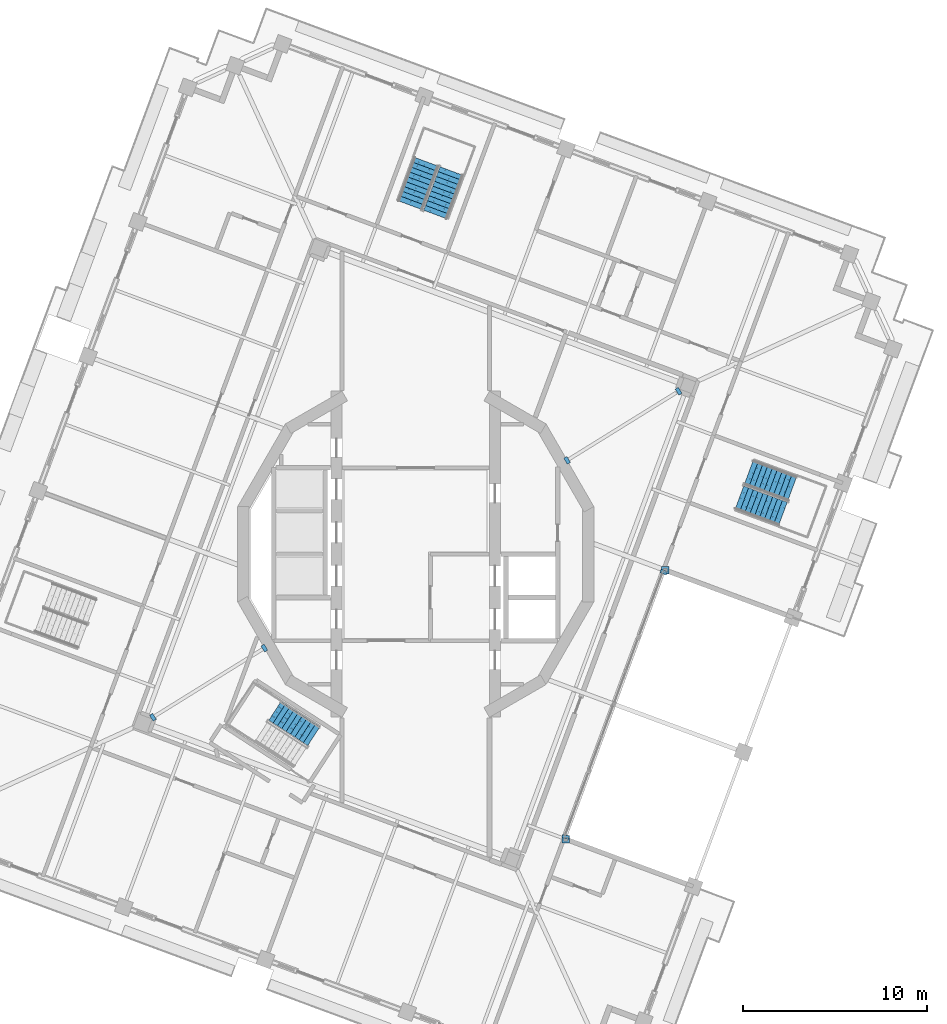
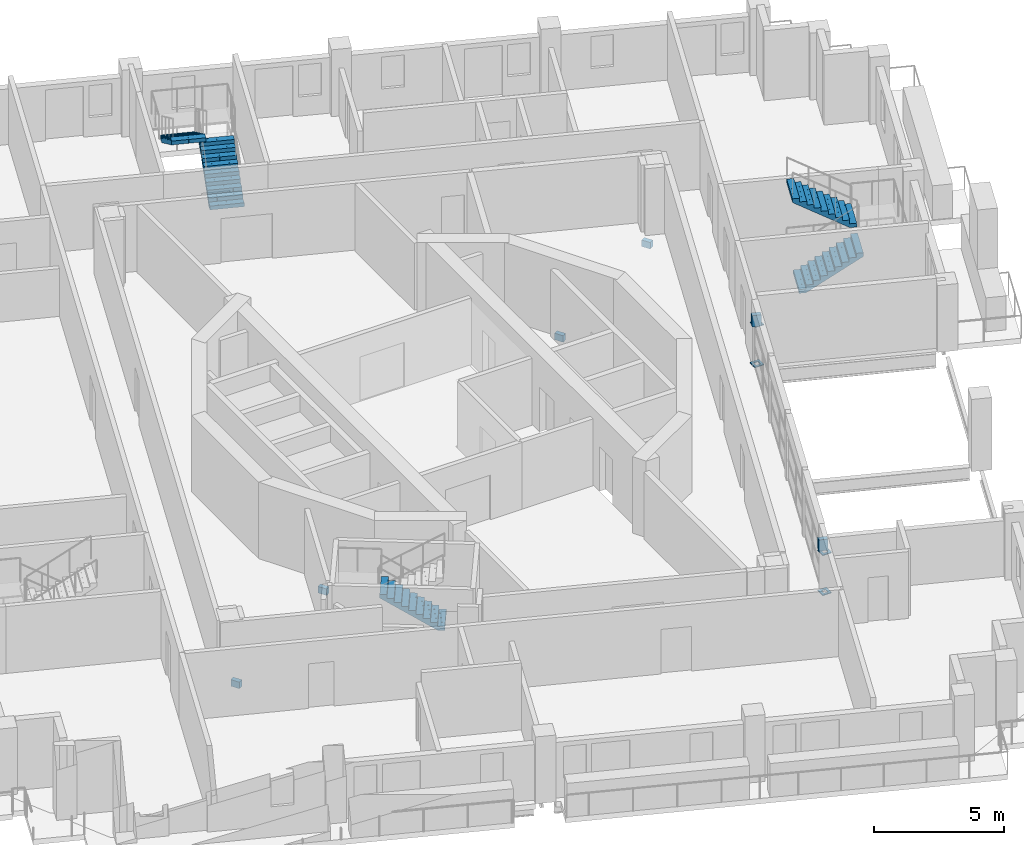
# One storey, part 11 of 19: 10 discrete accessories, 5 stair flights, 3 elements without a shape of their own.
"""IFC4 building model written with IfcOpenShell, lengths in metres."""

from ifc_helpers import new_model, si_unit, direction, frame, origin, place, context, subcontext, project, spatial, polyline, outline, extrude, material, layer, layer_set, type_object, element, aggregate, save


model = new_model("IFC4")

# Units and contexts
model_context = context("Model", 3, precision=1e-05, world=origin(), true_north=direction((0.0, 1.0)))
body_context = subcontext(model_context, "Body", "Model", "MODEL_VIEW")
ifc_project = project(units=[si_unit("LENGTHUNIT", "METRE"), si_unit("AREAUNIT", "SQUARE_METRE"), si_unit("VOLUMEUNIT", "CUBIC_METRE"), si_unit("PLANEANGLEUNIT", "RADIAN"), si_unit("MASSUNIT", "GRAM", prefix="KILO")], contexts=[model_context])

# Site, building, storey
site_placement = place(None, origin())
site = spatial("IfcSite", under=ifc_project, at=site_placement, CompositionType="ELEMENT")
building_placement = place(site_placement, origin())
building = spatial("IfcBuilding", under=site, at=building_placement, Name="Cantera Rosa Tower", CompositionType="ELEMENT")
storey_placement = place(building_placement, frame((0.0, 0.0, 342.10009765625)))
storey = spatial("IfcBuildingStorey", under=building, at=storey_placement, Name="L77", CompositionType="ELEMENT", Elevation=342.10009765625)

# Stair, stair flight
ifc_material_1 = material(Name="Concrete C35/45", Category="concrete")
stair_type_1 = type_object("IfcStairType", Name="EXIT STAIR 1200 DOGLEG", PredefinedType="HALF_TURN_STAIR", material=ifc_material_1)
stair_1_placement = place(storey_placement, origin())
stair_1 = element("IfcStair", 1, at=stair_1_placement, inside=storey, type_object=stair_type_1, Name="L77 ST-64", PredefinedType="HALF_TURN_STAIR")
ifc_material_2 = material(Name="Concrete C35/45", Category="concrete")
stair_flight_type_1 = type_object("IfcStairFlightType", Name="STAIR FLIGHT 1200 R20x180", PredefinedType="STRAIGHT", material=ifc_material_2)
stair_flight_1_placement = place(storey_placement, frame((-5.532470703125, -9.878173828125, 0.0), z_axis=(0.0, 0.0, 1.0), x_axis=(-0.838670567945, 0.544639035015, 0.0)))
stair_flight_1 = element("IfcStairFlight", 2, at=stair_flight_1_placement, type_object=stair_flight_type_1, Name="ST-64 flight 1", NumberOfRisers=10, NumberOfTreads=9, PredefinedType="STRAIGHT", RiserHeight=0.18, TreadLength=0.28, context=body_context, shape_type="SweptSolid", body=[
    extrude(outline(polyline([(0.0, 0.0), (0.0, 0.179931640625), (0.280029296875, 0.179931640625), (0.280029296875, 0.360107421875), (0.56005859375, 0.360107421875), (0.56005859375, 0.5400390625), (0.840087890625, 0.5400390625), (0.840087890625, 0.719970703125), (1.1201171875, 0.719970703125), (1.1201171875, 0.89990234375), (1.39990234375, 0.89990234375), (1.39990234375, 1.080078125), (1.679931640625, 1.080078125), (1.679931640625, 1.260009765625), (1.9599609375, 1.260009765625), (1.9599609375, 1.43994140625), (2.239990234375, 1.43994140625), (2.239990234375, 1.6201171875), (2.52001953125, 1.6201171875), (2.52001953125, 1.800048828125), (2.52001953125, 1.44189453125), (0.277099609375, 0.0), (0.0, 0.0)])), frame((0.0, 0.60009765625, 0.0), z_axis=(0.0, -1.0, 0.0), x_axis=(1.0, 0.0, 0.0)), (0.0, 0.0, 1.0), 0.298583984375),
    extrude(outline(polyline([(0.0, 0.0), (0.0, 0.179931640625), (0.280029296875, 0.179931640625), (0.280029296875, 0.360107421875), (0.56005859375, 0.360107421875), (0.56005859375, 0.5400390625), (0.840087890625, 0.5400390625), (0.840087890625, 0.719970703125), (1.1201171875, 0.719970703125), (1.1201171875, 0.89990234375), (1.39990234375, 0.89990234375), (1.39990234375, 1.080078125), (1.679931640625, 1.080078125), (1.679931640625, 1.260009765625), (1.9599609375, 1.260009765625), (1.9599609375, 1.43994140625), (2.239990234375, 1.43994140625), (2.239990234375, 1.6201171875), (2.52001953125, 1.6201171875), (2.52001953125, 1.800048828125), (2.52001953125, 1.44189453125), (0.277099609375, 0.0), (0.0, 0.0)])), frame((0.0, 0.29931640625, 0.0), z_axis=(0.0, -1.0, 0.0), x_axis=(1.0, 0.0, 0.0)), (0.0, 0.0, 1.0), 0.298583984375),
    extrude(outline(polyline([(0.0, 0.0), (0.0, 0.179931640625), (0.280029296875, 0.179931640625), (0.280029296875, 0.360107421875), (0.56005859375, 0.360107421875), (0.56005859375, 0.5400390625), (0.840087890625, 0.5400390625), (0.840087890625, 0.719970703125), (1.1201171875, 0.719970703125), (1.1201171875, 0.89990234375), (1.39990234375, 0.89990234375), (1.39990234375, 1.080078125), (1.679931640625, 1.080078125), (1.679931640625, 1.260009765625), (1.9599609375, 1.260009765625), (1.9599609375, 1.43994140625), (2.239990234375, 1.43994140625), (2.239990234375, 1.6201171875), (2.52001953125, 1.6201171875), (2.52001953125, 1.800048828125), (2.52001953125, 1.44189453125), (0.277099609375, 0.0), (0.0, 0.0)])), frame((0.0, -0.0009765625, 0.0), z_axis=(0.0, -1.0, 0.0), x_axis=(1.0, 0.0, 0.0)), (0.0, 0.0, 1.0), 0.298583984375),
    extrude(outline(polyline([(0.0, 0.0), (0.0, 0.179931640625), (0.280029296875, 0.179931640625), (0.280029296875, 0.360107421875), (0.56005859375, 0.360107421875), (0.56005859375, 0.5400390625), (0.840087890625, 0.5400390625), (0.840087890625, 0.719970703125), (1.1201171875, 0.719970703125), (1.1201171875, 0.89990234375), (1.39990234375, 0.89990234375), (1.39990234375, 1.080078125), (1.679931640625, 1.080078125), (1.679931640625, 1.260009765625), (1.9599609375, 1.260009765625), (1.9599609375, 1.43994140625), (2.239990234375, 1.43994140625), (2.239990234375, 1.6201171875), (2.52001953125, 1.6201171875), (2.52001953125, 1.800048828125), (2.52001953125, 1.44189453125), (0.277099609375, 0.0), (0.0, 0.0)])), frame((0.0, -0.3017578125, 0.0), z_axis=(0.0, -1.0, 0.0), x_axis=(1.0, 0.0, 0.0)), (0.0, 0.0, 1.0), 0.298583984375),
])
aggregate(stair_1, [stair_flight_1])

# Stair, stair flights
ifc_material_3 = material(Name="Concrete C35/45", Category="concrete")
stair_type_2 = type_object("IfcStairType", Name="EXIT STAIR 1350 DOGLEG", PredefinedType="HALF_TURN_STAIR", material=ifc_material_3)
stair_2_placement = place(storey_placement, origin())
stair_2 = element("IfcStair", 3, at=stair_2_placement, inside=storey, type_object=stair_type_2, Name="L77 ST-61", PredefinedType="HALF_TURN_STAIR")
ifc_material_4 = material(Name="Concrete C35/45", Category="concrete")
stair_flight_type_2 = type_object("IfcStairFlightType", Name="STAIR FLIGHT 1350 R20x180", PredefinedType="STRAIGHT", material=ifc_material_4)
stair_flight_2_placement = place(storey_placement, frame((17.55908203125, 3.064453125, 0.0), z_axis=(0.0, 0.0, 1.0), x_axis=(0.937686938944, -0.347481229039, 0.0)))
stair_flight_2 = element("IfcStairFlight", 4, at=stair_flight_2_placement, type_object=stair_flight_type_2, Name="ST-61 flight 1", NumberOfRisers=10, NumberOfTreads=9, PredefinedType="STRAIGHT", RiserHeight=0.18, TreadLength=0.28, context=body_context, shape_type="SweptSolid", body=[
    extrude(outline(polyline([(0.0, 0.0), (0.0, 0.179931640625), (0.280029296875, 0.179931640625), (0.280029296875, 0.360107421875), (0.56005859375, 0.360107421875), (0.56005859375, 0.5400390625), (0.840087890625, 0.5400390625), (0.840087890625, 0.719970703125), (1.1201171875, 0.719970703125), (1.1201171875, 0.89990234375), (1.39990234375, 0.89990234375), (1.39990234375, 1.080078125), (1.679931640625, 1.080078125), (1.679931640625, 1.260009765625), (1.9599609375, 1.260009765625), (1.9599609375, 1.43994140625), (2.239990234375, 1.43994140625), (2.239990234375, 1.6201171875), (2.52001953125, 1.6201171875), (2.52001953125, 1.800048828125), (2.52001953125, 1.44189453125), (0.277099609375, 0.0), (0.0, 0.0)])), frame((0.0, 0.675048828125, 0.0), z_axis=(0.0, -1.0, 0.0), x_axis=(1.0, 0.0, 0.0)), (0.0, 0.0, 1.0), 0.3359375),
    extrude(outline(polyline([(0.0, 0.0), (0.0, 0.179931640625), (0.280029296875, 0.179931640625), (0.280029296875, 0.360107421875), (0.56005859375, 0.360107421875), (0.56005859375, 0.5400390625), (0.840087890625, 0.5400390625), (0.840087890625, 0.719970703125), (1.1201171875, 0.719970703125), (1.1201171875, 0.89990234375), (1.39990234375, 0.89990234375), (1.39990234375, 1.080078125), (1.679931640625, 1.080078125), (1.679931640625, 1.260009765625), (1.9599609375, 1.260009765625), (1.9599609375, 1.43994140625), (2.239990234375, 1.43994140625), (2.239990234375, 1.6201171875), (2.52001953125, 1.6201171875), (2.52001953125, 1.800048828125), (2.52001953125, 1.44189453125), (0.277099609375, 0.0), (0.0, 0.0)])), frame((0.0, 0.337158203125, 0.0), z_axis=(0.0, -1.0, 0.0), x_axis=(1.0, 0.0, 0.0)), (0.0, 0.0, 1.0), 0.3359375),
    extrude(outline(polyline([(0.0, 0.0), (0.0, 0.179931640625), (0.280029296875, 0.179931640625), (0.280029296875, 0.360107421875), (0.56005859375, 0.360107421875), (0.56005859375, 0.5400390625), (0.840087890625, 0.5400390625), (0.840087890625, 0.719970703125), (1.1201171875, 0.719970703125), (1.1201171875, 0.89990234375), (1.39990234375, 0.89990234375), (1.39990234375, 1.080078125), (1.679931640625, 1.080078125), (1.679931640625, 1.260009765625), (1.9599609375, 1.260009765625), (1.9599609375, 1.43994140625), (2.239990234375, 1.43994140625), (2.239990234375, 1.6201171875), (2.52001953125, 1.6201171875), (2.52001953125, 1.800048828125), (2.52001953125, 1.44189453125), (0.277099609375, 0.0), (0.0, 0.0)])), frame((0.0, -0.000732421875, 0.0), z_axis=(0.0, -1.0, 0.0), x_axis=(1.0, 0.0, 0.0)), (0.0, 0.0, 1.0), 0.3359375),
    extrude(outline(polyline([(0.0, 0.0), (0.0, 0.179931640625), (0.280029296875, 0.179931640625), (0.280029296875, 0.360107421875), (0.56005859375, 0.360107421875), (0.56005859375, 0.5400390625), (0.840087890625, 0.5400390625), (0.840087890625, 0.719970703125), (1.1201171875, 0.719970703125), (1.1201171875, 0.89990234375), (1.39990234375, 0.89990234375), (1.39990234375, 1.080078125), (1.679931640625, 1.080078125), (1.679931640625, 1.260009765625), (1.9599609375, 1.260009765625), (1.9599609375, 1.43994140625), (2.239990234375, 1.43994140625), (2.239990234375, 1.6201171875), (2.52001953125, 1.6201171875), (2.52001953125, 1.800048828125), (2.52001953125, 1.44189453125), (0.277099609375, 0.0), (0.0, 0.0)])), frame((0.0, -0.338623046875, 0.0), z_axis=(0.0, -1.0, 0.0), x_axis=(1.0, 0.0, 0.0)), (0.0, 0.0, 1.0), 0.3359375),
])
stair_flight_3_placement = place(storey_placement, frame((20.443115234375, 3.595458984375, 1.7998046875), z_axis=(0.0, 0.0, 1.0), x_axis=(-0.937686938944, 0.347481229039, 0.0)))
stair_flight_3 = element("IfcStairFlight", 5, at=stair_flight_3_placement, type_object=stair_flight_type_2, Name="ST-61 flight 2", NumberOfRisers=10, NumberOfTreads=9, PredefinedType="STRAIGHT", RiserHeight=0.18, TreadLength=0.28, context=body_context, shape_type="SweptSolid", body=[
    extrude(outline(polyline([(0.0, 0.0), (0.0, 0.179931640625), (0.280029296875, 0.179931640625), (0.280029296875, 0.360107421875), (0.56005859375, 0.360107421875), (0.56005859375, 0.5400390625), (0.840087890625, 0.5400390625), (0.840087890625, 0.719970703125), (1.1201171875, 0.719970703125), (1.1201171875, 0.89990234375), (1.39990234375, 0.89990234375), (1.39990234375, 1.080078125), (1.679931640625, 1.080078125), (1.679931640625, 1.260009765625), (1.9599609375, 1.260009765625), (1.9599609375, 1.43994140625), (2.239990234375, 1.43994140625), (2.239990234375, 1.6201171875), (2.52001953125, 1.6201171875), (2.52001953125, 1.800048828125), (2.52001953125, 1.44189453125), (0.277099609375, 0.0), (0.0, 0.0)])), frame((0.0, 0.675048828125, 0.0), z_axis=(0.0, -1.0, 0.0), x_axis=(1.0, 0.0, 0.0)), (0.0, 0.0, 1.0), 0.3359375),
    extrude(outline(polyline([(0.0, 0.0), (0.0, 0.179931640625), (0.280029296875, 0.179931640625), (0.280029296875, 0.360107421875), (0.56005859375, 0.360107421875), (0.56005859375, 0.5400390625), (0.840087890625, 0.5400390625), (0.840087890625, 0.719970703125), (1.1201171875, 0.719970703125), (1.1201171875, 0.89990234375), (1.39990234375, 0.89990234375), (1.39990234375, 1.080078125), (1.679931640625, 1.080078125), (1.679931640625, 1.260009765625), (1.9599609375, 1.260009765625), (1.9599609375, 1.43994140625), (2.239990234375, 1.43994140625), (2.239990234375, 1.6201171875), (2.52001953125, 1.6201171875), (2.52001953125, 1.800048828125), (2.52001953125, 1.44189453125), (0.277099609375, 0.0), (0.0, 0.0)])), frame((0.0, 0.337158203125, 0.0), z_axis=(0.0, -1.0, 0.0), x_axis=(1.0, 0.0, 0.0)), (0.0, 0.0, 1.0), 0.3359375),
    extrude(outline(polyline([(0.0, 0.0), (0.0, 0.179931640625), (0.280029296875, 0.179931640625), (0.280029296875, 0.360107421875), (0.56005859375, 0.360107421875), (0.56005859375, 0.5400390625), (0.840087890625, 0.5400390625), (0.840087890625, 0.719970703125), (1.1201171875, 0.719970703125), (1.1201171875, 0.89990234375), (1.39990234375, 0.89990234375), (1.39990234375, 1.080078125), (1.679931640625, 1.080078125), (1.679931640625, 1.260009765625), (1.9599609375, 1.260009765625), (1.9599609375, 1.43994140625), (2.239990234375, 1.43994140625), (2.239990234375, 1.6201171875), (2.52001953125, 1.6201171875), (2.52001953125, 1.800048828125), (2.52001953125, 1.44189453125), (0.277099609375, 0.0), (0.0, 0.0)])), frame((0.0, -0.000732421875, 0.0), z_axis=(0.0, -1.0, 0.0), x_axis=(1.0, 0.0, 0.0)), (0.0, 0.0, 1.0), 0.3359375),
    extrude(outline(polyline([(0.0, 0.0), (0.0, 0.179931640625), (0.280029296875, 0.179931640625), (0.280029296875, 0.360107421875), (0.56005859375, 0.360107421875), (0.56005859375, 0.5400390625), (0.840087890625, 0.5400390625), (0.840087890625, 0.719970703125), (1.1201171875, 0.719970703125), (1.1201171875, 0.89990234375), (1.39990234375, 0.89990234375), (1.39990234375, 1.080078125), (1.679931640625, 1.080078125), (1.679931640625, 1.260009765625), (1.9599609375, 1.260009765625), (1.9599609375, 1.43994140625), (2.239990234375, 1.43994140625), (2.239990234375, 1.6201171875), (2.52001953125, 1.6201171875), (2.52001953125, 1.800048828125), (2.52001953125, 1.44189453125), (0.277099609375, 0.0), (0.0, 0.0)])), frame((0.0, -0.338623046875, 0.0), z_axis=(0.0, -1.0, 0.0), x_axis=(1.0, 0.0, 0.0)), (0.0, 0.0, 1.0), 0.3359375),
])
aggregate(stair_2, [stair_flight_2, stair_flight_3])

stair_3_placement = place(storey_placement, origin())
stair_3 = element("IfcStair", 6, at=stair_3_placement, inside=storey, type_object=stair_type_2, Name="L77 ST-62", PredefinedType="HALF_TURN_STAIR")
stair_flight_4_placement = place(storey_placement, frame((1.069580078125, 18.426513671875, 0.0), z_axis=(0.0, 0.0, 1.0), x_axis=(0.347481229039, 0.937686938944, 0.0)))
stair_flight_4 = element("IfcStairFlight", 7, at=stair_flight_4_placement, type_object=stair_flight_type_2, Name="ST-62 flight 1", NumberOfRisers=10, NumberOfTreads=9, PredefinedType="STRAIGHT", RiserHeight=0.18, TreadLength=0.28, context=body_context, shape_type="SweptSolid", body=[
    extrude(outline(polyline([(0.0, 0.0), (0.0, 0.179931640625), (0.280029296875, 0.179931640625), (0.280029296875, 0.360107421875), (0.56005859375, 0.360107421875), (0.56005859375, 0.5400390625), (0.840087890625, 0.5400390625), (0.840087890625, 0.719970703125), (1.1201171875, 0.719970703125), (1.1201171875, 0.89990234375), (1.39990234375, 0.89990234375), (1.39990234375, 1.080078125), (1.679931640625, 1.080078125), (1.679931640625, 1.260009765625), (1.9599609375, 1.260009765625), (1.9599609375, 1.43994140625), (2.239990234375, 1.43994140625), (2.239990234375, 1.6201171875), (2.52001953125, 1.6201171875), (2.52001953125, 1.800048828125), (2.52001953125, 1.44189453125), (0.277099609375, 0.0), (0.0, 0.0)])), frame((0.0, 0.675048828125, 0.0), z_axis=(0.0, -1.0, 0.0), x_axis=(1.0, 0.0, 0.0)), (0.0, 0.0, 1.0), 0.3359375),
    extrude(outline(polyline([(0.0, 0.0), (0.0, 0.179931640625), (0.280029296875, 0.179931640625), (0.280029296875, 0.360107421875), (0.56005859375, 0.360107421875), (0.56005859375, 0.5400390625), (0.840087890625, 0.5400390625), (0.840087890625, 0.719970703125), (1.1201171875, 0.719970703125), (1.1201171875, 0.89990234375), (1.39990234375, 0.89990234375), (1.39990234375, 1.080078125), (1.679931640625, 1.080078125), (1.679931640625, 1.260009765625), (1.9599609375, 1.260009765625), (1.9599609375, 1.43994140625), (2.239990234375, 1.43994140625), (2.239990234375, 1.6201171875), (2.52001953125, 1.6201171875), (2.52001953125, 1.800048828125), (2.52001953125, 1.44189453125), (0.277099609375, 0.0), (0.0, 0.0)])), frame((0.0, 0.337158203125, 0.0), z_axis=(0.0, -1.0, 0.0), x_axis=(1.0, 0.0, 0.0)), (0.0, 0.0, 1.0), 0.3359375),
    extrude(outline(polyline([(0.0, 0.0), (0.0, 0.179931640625), (0.280029296875, 0.179931640625), (0.280029296875, 0.360107421875), (0.56005859375, 0.360107421875), (0.56005859375, 0.5400390625), (0.840087890625, 0.5400390625), (0.840087890625, 0.719970703125), (1.1201171875, 0.719970703125), (1.1201171875, 0.89990234375), (1.39990234375, 0.89990234375), (1.39990234375, 1.080078125), (1.679931640625, 1.080078125), (1.679931640625, 1.260009765625), (1.9599609375, 1.260009765625), (1.9599609375, 1.43994140625), (2.239990234375, 1.43994140625), (2.239990234375, 1.6201171875), (2.52001953125, 1.6201171875), (2.52001953125, 1.800048828125), (2.52001953125, 1.44189453125), (0.277099609375, 0.0), (0.0, 0.0)])), frame((0.0, -0.000732421875, 0.0), z_axis=(0.0, -1.0, 0.0), x_axis=(1.0, 0.0, 0.0)), (0.0, 0.0, 1.0), 0.3359375),
    extrude(outline(polyline([(0.0, 0.0), (0.0, 0.179931640625), (0.280029296875, 0.179931640625), (0.280029296875, 0.360107421875), (0.56005859375, 0.360107421875), (0.56005859375, 0.5400390625), (0.840087890625, 0.5400390625), (0.840087890625, 0.719970703125), (1.1201171875, 0.719970703125), (1.1201171875, 0.89990234375), (1.39990234375, 0.89990234375), (1.39990234375, 1.080078125), (1.679931640625, 1.080078125), (1.679931640625, 1.260009765625), (1.9599609375, 1.260009765625), (1.9599609375, 1.43994140625), (2.239990234375, 1.43994140625), (2.239990234375, 1.6201171875), (2.52001953125, 1.6201171875), (2.52001953125, 1.800048828125), (2.52001953125, 1.44189453125), (0.277099609375, 0.0), (0.0, 0.0)])), frame((0.0, -0.338623046875, 0.0), z_axis=(0.0, -1.0, 0.0), x_axis=(1.0, 0.0, 0.0)), (0.0, 0.0, 1.0), 0.3359375),
])
stair_flight_5_placement = place(storey_placement, frame((0.53857421875, 21.310791015625, 1.7998046875), z_axis=(0.0, 0.0, 1.0), x_axis=(-0.347481229039, -0.937686938944, 0.0)))
stair_flight_5 = element("IfcStairFlight", 8, at=stair_flight_5_placement, type_object=stair_flight_type_2, Name="ST-62 flight 2", NumberOfRisers=10, NumberOfTreads=9, PredefinedType="STRAIGHT", RiserHeight=0.18, TreadLength=0.28, context=body_context, shape_type="SweptSolid", body=[
    extrude(outline(polyline([(0.0, 0.0), (0.0, 0.179931640625), (0.280029296875, 0.179931640625), (0.280029296875, 0.360107421875), (0.56005859375, 0.360107421875), (0.56005859375, 0.5400390625), (0.840087890625, 0.5400390625), (0.840087890625, 0.719970703125), (1.1201171875, 0.719970703125), (1.1201171875, 0.89990234375), (1.39990234375, 0.89990234375), (1.39990234375, 1.080078125), (1.679931640625, 1.080078125), (1.679931640625, 1.260009765625), (1.9599609375, 1.260009765625), (1.9599609375, 1.43994140625), (2.239990234375, 1.43994140625), (2.239990234375, 1.6201171875), (2.52001953125, 1.6201171875), (2.52001953125, 1.800048828125), (2.52001953125, 1.44189453125), (0.277099609375, 0.0), (0.0, 0.0)])), frame((0.0, 0.675048828125, 0.0), z_axis=(0.0, -1.0, 0.0), x_axis=(1.0, 0.0, 0.0)), (0.0, 0.0, 1.0), 0.3359375),
    extrude(outline(polyline([(0.0, 0.0), (0.0, 0.179931640625), (0.280029296875, 0.179931640625), (0.280029296875, 0.360107421875), (0.56005859375, 0.360107421875), (0.56005859375, 0.5400390625), (0.840087890625, 0.5400390625), (0.840087890625, 0.719970703125), (1.1201171875, 0.719970703125), (1.1201171875, 0.89990234375), (1.39990234375, 0.89990234375), (1.39990234375, 1.080078125), (1.679931640625, 1.080078125), (1.679931640625, 1.260009765625), (1.9599609375, 1.260009765625), (1.9599609375, 1.43994140625), (2.239990234375, 1.43994140625), (2.239990234375, 1.6201171875), (2.52001953125, 1.6201171875), (2.52001953125, 1.800048828125), (2.52001953125, 1.44189453125), (0.277099609375, 0.0), (0.0, 0.0)])), frame((0.0, 0.337158203125, 0.0), z_axis=(0.0, -1.0, 0.0), x_axis=(1.0, 0.0, 0.0)), (0.0, 0.0, 1.0), 0.3359375),
    extrude(outline(polyline([(0.0, 0.0), (0.0, 0.179931640625), (0.280029296875, 0.179931640625), (0.280029296875, 0.360107421875), (0.56005859375, 0.360107421875), (0.56005859375, 0.5400390625), (0.840087890625, 0.5400390625), (0.840087890625, 0.719970703125), (1.1201171875, 0.719970703125), (1.1201171875, 0.89990234375), (1.39990234375, 0.89990234375), (1.39990234375, 1.080078125), (1.679931640625, 1.080078125), (1.679931640625, 1.260009765625), (1.9599609375, 1.260009765625), (1.9599609375, 1.43994140625), (2.239990234375, 1.43994140625), (2.239990234375, 1.6201171875), (2.52001953125, 1.6201171875), (2.52001953125, 1.800048828125), (2.52001953125, 1.44189453125), (0.277099609375, 0.0), (0.0, 0.0)])), frame((0.0, -0.000732421875, 0.0), z_axis=(0.0, -1.0, 0.0), x_axis=(1.0, 0.0, 0.0)), (0.0, 0.0, 1.0), 0.3359375),
    extrude(outline(polyline([(0.0, 0.0), (0.0, 0.179931640625), (0.280029296875, 0.179931640625), (0.280029296875, 0.360107421875), (0.56005859375, 0.360107421875), (0.56005859375, 0.5400390625), (0.840087890625, 0.5400390625), (0.840087890625, 0.719970703125), (1.1201171875, 0.719970703125), (1.1201171875, 0.89990234375), (1.39990234375, 0.89990234375), (1.39990234375, 1.080078125), (1.679931640625, 1.080078125), (1.679931640625, 1.260009765625), (1.9599609375, 1.260009765625), (1.9599609375, 1.43994140625), (2.239990234375, 1.43994140625), (2.239990234375, 1.6201171875), (2.52001953125, 1.6201171875), (2.52001953125, 1.800048828125), (2.52001953125, 1.44189453125), (0.277099609375, 0.0), (0.0, 0.0)])), frame((0.0, -0.338623046875, 0.0), z_axis=(0.0, -1.0, 0.0), x_axis=(1.0, 0.0, 0.0)), (0.0, 0.0, 1.0), 0.3359375),
])
aggregate(stair_3, [stair_flight_4, stair_flight_5])

# Discrete accessories
ifc_material_5 = material(Name="Steel ASTM A992 (Fy 345 MPa)", Category="steel")
ifc_layer = layer(ifc_material_5, 0.0400390625)
ifc_layer_set = layer_set([ifc_layer], Name="STEEL BEARING PLATE 40")
discrete_accessory_type = type_object("IfcDiscreteAccessoryType", Name="STEEL BEARING PLATE 40", PredefinedType="ANCHORPLATE", material=ifc_layer_set)
discrete_accessory_1_placement = place(storey_placement, frame((0.0, 0.0, -0.606201171875)))
element("IfcDiscreteAccessory", 9, at=discrete_accessory_1_placement, inside=storey, type_object=discrete_accessory_type, Name="BEARING PLATE PG-Z6-01 end 1 L77", PredefinedType="ANCHORPLATE", context=body_context, shape_type="SweptSolid", body=[
    extrude(outline(polyline([(-14.277099609375, -8.6318359375), (-14.447021484375, -8.7373046875), (-14.247802734375, -9.05859375), (-14.077880859375, -8.953125), (-14.277099609375, -8.6318359375)])), origin(), (0.0, 0.0, 1.0), 0.30615234375),
])
discrete_accessory_2_placement = place(storey_placement, frame((0.0, 0.0, -0.606201171875)))
element("IfcDiscreteAccessory", 10, at=discrete_accessory_2_placement, inside=storey, type_object=discrete_accessory_type, Name="BEARING PLATE PG-Z6-01 end 2 L77", PredefinedType="ANCHORPLATE", context=body_context, shape_type="SweptSolid", body=[
    extrude(outline(polyline([(-8.1982421875, -5.306640625), (-8.0283203125, -5.201416015625), (-8.2275390625, -4.880126953125), (-8.3974609375, -4.985595703125), (-8.1982421875, -5.306640625)])), origin(), (0.0, 0.0, 1.0), 0.30615234375),
])
discrete_accessory_3_placement = place(storey_placement, frame((0.0, 0.0, -0.606201171875)))
element("IfcDiscreteAccessory", 11, at=discrete_accessory_3_placement, inside=storey, type_object=discrete_accessory_type, Name="BEARING PLATE PG-Z6-02 end 1 L77", PredefinedType="ANCHORPLATE", context=body_context, shape_type="SweptSolid", body=[
    extrude(outline(polyline([(14.277099609375, 8.6318359375), (14.447021484375, 8.7373046875), (14.247802734375, 9.05859375), (14.077880859375, 8.953125), (14.277099609375, 8.6318359375)])), origin(), (0.0, 0.0, 1.0), 0.30615234375),
])
discrete_accessory_4_placement = place(storey_placement, frame((0.0, 0.0, -0.606201171875)))
element("IfcDiscreteAccessory", 12, at=discrete_accessory_4_placement, inside=storey, type_object=discrete_accessory_type, Name="BEARING PLATE PG-Z6-02 end 2 L77", PredefinedType="ANCHORPLATE", context=body_context, shape_type="SweptSolid", body=[
    extrude(outline(polyline([(8.1982421875, 5.306640625), (8.0283203125, 5.201416015625), (8.2275390625, 4.880126953125), (8.3974609375, 4.985595703125), (8.1982421875, 5.306640625)])), origin(), (0.0, 0.0, 1.0), 0.30615234375),
])
discrete_accessory_5_placement = place(storey_placement, origin())
element("IfcDiscreteAccessory", 13, at=discrete_accessory_5_placement, inside=storey, type_object=discrete_accessory_type, Name="POST PLATE L77-1F", PredefinedType="ANCHORPLATE", context=body_context, shape_type="SweptSolid", body=[
    extrude(outline(polyline([(7.934814453125, -15.66015625), (8.334716796875, -15.66015625), (8.334716796875, -15.260009765625), (7.934814453125, -15.260009765625), (7.934814453125, -15.66015625)]), holes=[polyline([(8.034912109375, -15.56005859375), (8.23486328125, -15.56005859375), (8.23486328125, -15.360107421875), (8.034912109375, -15.360107421875), (8.034912109375, -15.56005859375)])]), origin(), (0.0, 0.0, 1.0), 0.039794921875),
])
discrete_accessory_6_placement = place(storey_placement, frame((0.0, 0.0, 1.889892578125)))
element("IfcDiscreteAccessory", 14, at=discrete_accessory_6_placement, inside=storey, type_object=discrete_accessory_type, Name="POST PLATE L77-1T", PredefinedType="ANCHORPLATE", context=body_context, shape_type="SweptSolid", body=[
    extrude(outline(polyline([(7.934814453125, -15.66015625), (8.334716796875, -15.66015625), (8.334716796875, -15.260009765625), (7.934814453125, -15.260009765625), (7.934814453125, -15.66015625)]), holes=[polyline([(8.034912109375, -15.56005859375), (8.23486328125, -15.56005859375), (8.23486328125, -15.360107421875), (8.034912109375, -15.360107421875), (8.034912109375, -15.56005859375)])]), origin(), (0.0, 0.0, 1.0), 0.0400390625),
])
discrete_accessory_7_placement = place(storey_placement, origin())
element("IfcDiscreteAccessory", 15, at=discrete_accessory_7_placement, inside=storey, type_object=discrete_accessory_type, Name="POST PLATE L77-2F", PredefinedType="ANCHORPLATE", context=body_context, shape_type="SweptSolid", body=[
    extrude(outline(polyline([(13.341552734375, -1.069580078125), (13.74169921875, -1.069580078125), (13.74169921875, -0.669677734375), (13.341552734375, -0.669677734375), (13.341552734375, -1.069580078125)]), holes=[polyline([(13.441650390625, -0.9697265625), (13.6416015625, -0.9697265625), (13.6416015625, -0.769775390625), (13.441650390625, -0.769775390625), (13.441650390625, -0.9697265625)])]), origin(), (0.0, 0.0, 1.0), 0.039794921875),
])
discrete_accessory_8_placement = place(storey_placement, frame((0.0, 0.0, 1.889892578125)))
element("IfcDiscreteAccessory", 16, at=discrete_accessory_8_placement, inside=storey, type_object=discrete_accessory_type, Name="POST PLATE L77-2T", PredefinedType="ANCHORPLATE", context=body_context, shape_type="SweptSolid", body=[
    extrude(outline(polyline([(13.341552734375, -1.069580078125), (13.74169921875, -1.069580078125), (13.74169921875, -0.669677734375), (13.341552734375, -0.669677734375), (13.341552734375, -1.069580078125)]), holes=[polyline([(13.441650390625, -0.9697265625), (13.6416015625, -0.9697265625), (13.6416015625, -0.769775390625), (13.441650390625, -0.769775390625), (13.441650390625, -0.9697265625)])]), origin(), (0.0, 0.0, 1.0), 0.0400390625),
])
discrete_accessory_9_placement = place(storey_placement, frame((0.0, 0.0, 1.929931640625)))
element("IfcDiscreteAccessory", 17, at=discrete_accessory_9_placement, inside=storey, type_object=discrete_accessory_type, Name="LINTEL PLATE L77-1", PredefinedType="ANCHORPLATE", context=body_context, shape_type="SweptSolid", body=[
    extrude(outline(polyline([(7.994384765625, -15.168212890625), (7.925048828125, -15.355712890625), (8.268310546875, -15.48291015625), (8.337646484375, -15.29541015625), (7.994384765625, -15.168212890625)])), origin(), (0.0, 0.0, 1.0), 0.528076171875),
])
discrete_accessory_10_placement = place(storey_placement, frame((0.0, 0.0, 1.929931640625)))
element("IfcDiscreteAccessory", 18, at=discrete_accessory_10_placement, inside=storey, type_object=discrete_accessory_type, Name="LINTEL PLATE L77-2", PredefinedType="ANCHORPLATE", context=body_context, shape_type="SweptSolid", body=[
    extrude(outline(polyline([(13.588134765625, -1.126708984375), (13.65771484375, -0.939208984375), (13.314453125, -0.81201171875), (13.2451171875, -0.999755859375), (13.588134765625, -1.126708984375)])), origin(), (0.0, 0.0, 1.0), 0.528076171875),
])

save(model, "model.ifc")
